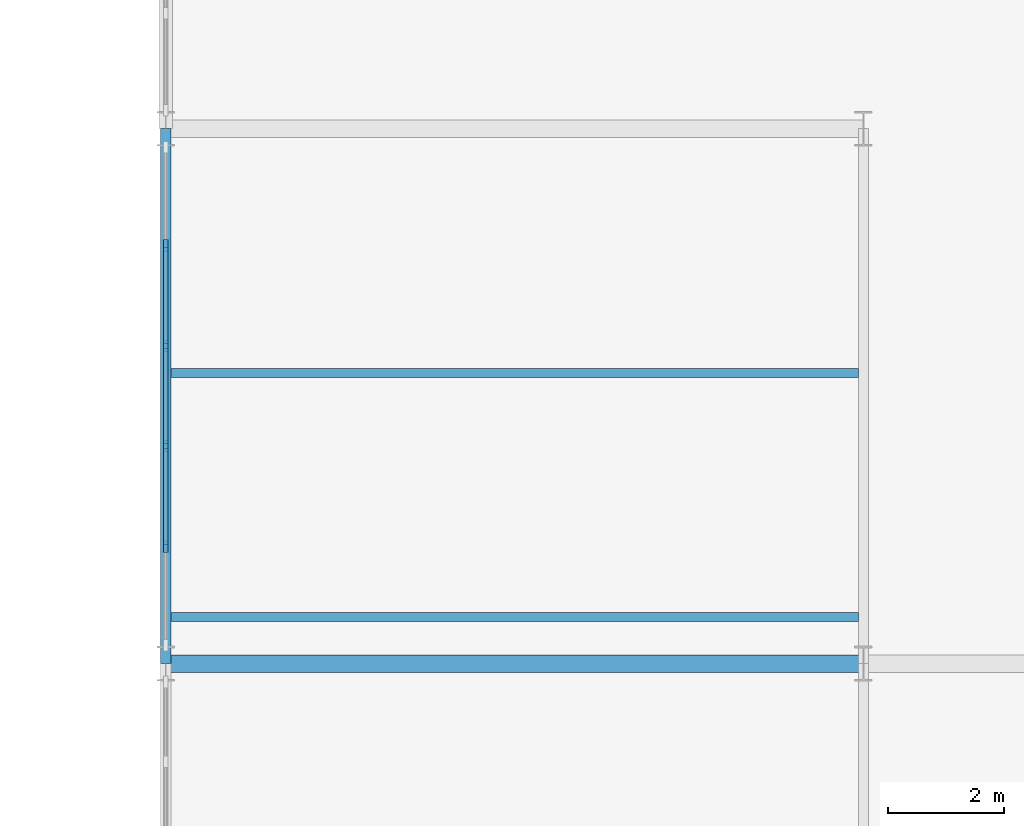
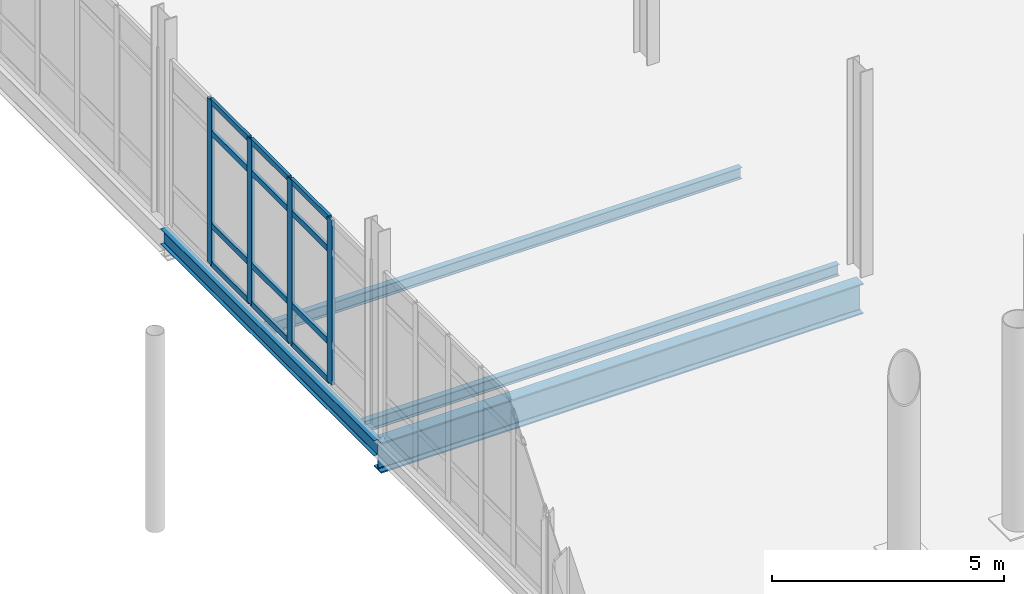
# One storey, part 57 of 111: 16 members, 4 beams, 1 element without a shape of its own.
"""IFC4 building model written with IfcOpenShell, lengths in metres."""

from ifc_helpers import new_model, si_unit, direction, frame, origin, origin_2d, place, context, subcontext, project, spatial, rectangle, i_section, extrude, material, layer, layer_set, material_profile, profile_set, type_object, element, aggregate, save


model = new_model("IFC4")

# Units and contexts
model_context = context("Model", 3, precision=1e-05, world=origin(), true_north=direction((0.0, 1.0)))
body_context = subcontext(model_context, "Body", "Model", "MODEL_VIEW")
ifc_project = project(units=[si_unit("LENGTHUNIT", "METRE"), si_unit("AREAUNIT", "SQUARE_METRE"), si_unit("VOLUMEUNIT", "CUBIC_METRE"), si_unit("PLANEANGLEUNIT", "RADIAN"), si_unit("MASSUNIT", "GRAM", prefix="KILO"), si_unit("THERMODYNAMICTEMPERATUREUNIT", "KELVIN"), si_unit("POWERUNIT", "WATT")], contexts=[model_context])

# Site, building, storey
site_placement = place(None, origin())
site = spatial("IfcSite", under=ifc_project, at=site_placement, CompositionType="ELEMENT")
building_placement = place(site_placement, origin())
building = spatial("IfcBuilding", under=site, at=building_placement, Name="Tembeka Court Mobility Hub", CompositionType="ELEMENT")
storey_placement = place(building_placement, origin())
storey = spatial("IfcBuildingStorey", under=building, at=storey_placement, Name="L00", CompositionType="ELEMENT", Elevation=0.0)

# Beams
ifc_material_1 = material(Name="Steel S355", Category="steel")
ifc_material_profile_1 = material_profile(ifc_material_1, i_section(OverallWidth=0.177978515625, OverallDepth=0.406005859375, WebThickness=0.0078125, FlangeThickness=0.0126953125, FilletRadius=0.01025390625, at=origin_2d()), Name="UKB 406x178x60")
ifc_profile_set_1 = profile_set([ifc_material_profile_1], Name="Steel S355")
beam_type_1 = type_object("IfcBeamType", Name="BM-B02", PredefinedType="BEAM", material=ifc_profile_set_1)
beam_1_placement = place(storey_placement, frame((116.39990234375, 88.0, -0.48291015625), z_axis=(0.0, 1.0, 0.0), x_axis=(-1.0, 0.0, 0.0)))
element("IfcBeam", 1, at=beam_1_placement, inside=storey, type_object=beam_type_1, Name="Beam B02 (BM-L00-Y0281)", PredefinedType="BEAM", context=body_context, shape_type="SweptSolid", body=[
    extrude(i_section(OverallWidth=0.177978515625, OverallDepth=0.406005859375, WebThickness=0.0078125, FlangeThickness=0.0126953125, FilletRadius=0.01025390625, at=origin_2d()), origin(), (0.0, 0.0, 1.0), 9.199951171875),
])
ifc_material_profile_2 = material_profile(ifc_material_1, i_section(OverallWidth=0.300048828125, OverallDepth=0.800048828125, WebThickness=0.017578125, FlangeThickness=0.034912109375, FilletRadius=0.030029296875, at=origin_2d()), Name="HEB 800")
ifc_profile_set_2 = profile_set([ifc_material_profile_2], Name="Steel S355")
beam_type_2 = type_object("IfcBeamType", Name="BM-G04", PredefinedType="USERDEFINED", material=ifc_profile_set_2)
beam_2_placement = place(storey_placement, frame((116.39990234375, 88.0, -0.679931640625), z_axis=(1.0, 0.0, 0.0), x_axis=(0.0, 1.0, 0.0)))
element("IfcBeam", 2, at=beam_2_placement, inside=storey, type_object=beam_type_2, Name="Beam G04 (BM-L00-X0135)", ObjectType="GIRDER", PredefinedType="USERDEFINED", context=body_context, shape_type="SweptSolid", body=[
    extrude(i_section(OverallWidth=0.300048828125, OverallDepth=0.800048828125, WebThickness=0.017578125, FlangeThickness=0.034912109375, FilletRadius=0.030029296875, at=origin_2d()), origin(), (0.0, 0.0, 1.0), 12.0),
])
ifc_material_profile_3 = material_profile(ifc_material_1, i_section(OverallWidth=0.14990234375, OverallDepth=0.300048828125, WebThickness=0.007080078125, FlangeThickness=0.0107421875, FilletRadius=0.014892578125, at=origin_2d()), Name="IPE 300")
ifc_profile_set_3 = profile_set([ifc_material_profile_3], Name="Steel S355")
beam_type_3 = type_object("IfcBeamType", Name="BM-J04", PredefinedType="JOIST", material=ifc_profile_set_3)
for number, where, z_axis, x_axis, name in (
    (3, (116.48388671875, 88.800048828125, -0.429931640625), (1.0, 0.0, 0.0), (0.0, 1.0, 0.0), "Beam J04 (JST-L00-0535)"),
    (4, (116.48388671875, 93.0, -0.429931640625), (1.0, 0.0, 0.0), (0.0, 1.0, 0.0), "Beam J04 (JST-L00-0536)"),
):
    element("IfcBeam", number, at=place(storey_placement, frame(where, z_axis=z_axis, x_axis=x_axis)), inside=storey, type_object=beam_type_3, Name=name, PredefinedType="JOIST", context=body_context, shape_type="SweptSolid", body=[
        extrude(i_section(OverallWidth=0.14990234375, OverallDepth=0.300048828125, WebThickness=0.007080078125, FlangeThickness=0.0107421875, FilletRadius=0.014892578125, at=origin_2d()), origin(), (0.0, 0.0, 1.0), 11.83203125),
    ])

# Curtain wall, members
ifc_material_2 = material(Name="Anodised aluminium 6063-T6", Category="aluminium")
ifc_layer = layer(ifc_material_2, 0.199951171875)
ifc_layer_set = layer_set([ifc_layer], Name="Anodised aluminium 6063-T6")
curtain_wall_type = type_object("IfcCurtainWallType", Name="CW-SYS28", PredefinedType="USERDEFINED", material=ifc_layer_set)
curtain_wall_placement = place(storey_placement, origin())
curtain_wall = element("IfcCurtainWall", 5, at=curtain_wall_placement, inside=storey, type_object=curtain_wall_type, Name="Unitised curtain wall CW28 (CW-L00-087)", ObjectType="UNITISED GLAZING", PredefinedType="USERDEFINED")
ifc_material_profile_4 = material_profile(ifc_material_2, rectangle(XDim=0.074951171875, YDim=0.199951171875, at=origin_2d()), Name="ALU-MUL 75x200")
ifc_profile_set_4 = profile_set([ifc_material_profile_4], Name="Anodised aluminium 6063-T6")
member_type_1 = type_object("IfcMemberType", Name="CW-MUL02", PredefinedType="MULLION", material=ifc_profile_set_4)
member_1_placement = place(storey_placement, frame((116.39990234375, 90.008056640625, 0.0), z_axis=(0.0, 0.0, 1.0), x_axis=(-1.0, 0.0, 0.0)))
member_1 = element("IfcMember", 6, at=member_1_placement, type_object=member_type_1, Name="CW28 mullion 2", PredefinedType="MULLION", context=body_context, shape_type="SweptSolid", body=[
    extrude(rectangle(XDim=0.074951171875, YDim=0.199951171875, at=origin_2d()), origin(), (0.0, 0.0, 1.0), 4.3349609375),
])
member_2_placement = place(storey_placement, frame((116.39990234375, 91.736083984375, 0.0), z_axis=(0.0, 0.0, 1.0), x_axis=(-1.0, 0.0, 0.0)))
member_2 = element("IfcMember", 7, at=member_2_placement, type_object=member_type_1, Name="CW28 mullion 3", PredefinedType="MULLION", context=body_context, shape_type="SweptSolid", body=[
    extrude(rectangle(XDim=0.074951171875, YDim=0.199951171875, at=origin_2d()), origin(), (0.0, 0.0, 1.0), 4.3349609375),
])
member_3_placement = place(storey_placement, frame((116.39990234375, 93.464111328125, 0.0), z_axis=(0.0, 0.0, 1.0), x_axis=(-1.0, 0.0, 0.0)))
member_3 = element("IfcMember", 8, at=member_3_placement, type_object=member_type_1, Name="CW28 mullion 4", PredefinedType="MULLION", context=body_context, shape_type="SweptSolid", body=[
    extrude(rectangle(XDim=0.074951171875, YDim=0.199951171875, at=origin_2d()), origin(), (0.0, 0.0, 1.0), 4.3349609375),
])
member_4_placement = place(storey_placement, frame((116.39990234375, 95.19189453125, 0.0), z_axis=(0.0, 0.0, 1.0), x_axis=(-1.0, 0.0, 0.0)))
member_4 = element("IfcMember", 9, at=member_4_placement, type_object=member_type_1, Name="CW28 mullion 5", PredefinedType="MULLION", context=body_context, shape_type="SweptSolid", body=[
    extrude(rectangle(XDim=0.074951171875, YDim=0.199951171875, at=origin_2d()), origin(), (0.0, 0.0, 1.0), 4.3349609375),
])
ifc_material_profile_5 = material_profile(ifc_material_2, rectangle(XDim=0.074951171875, YDim=0.14990234375, at=origin_2d()), Name="ALU-TRN 75x150")
ifc_profile_set_5 = profile_set([ifc_material_profile_5], Name="Anodised aluminium 6063-T6")
member_type_2 = type_object("IfcMemberType", Name="CW-TRN02", PredefinedType="USERDEFINED", material=ifc_profile_set_5)
member_5_placement = place(storey_placement, frame((116.39990234375, 90.04541015625, 0.03759765625), z_axis=(0.0, 1.0, 0.0), x_axis=(-1.0, 0.0, 0.0)))
member_5 = element("IfcMember", 10, at=member_5_placement, type_object=member_type_2, Name="CW28 transom 2.1", ObjectType="TRANSOM", PredefinedType="USERDEFINED", context=body_context, shape_type="SweptSolid", body=[
    extrude(rectangle(XDim=0.074951171875, YDim=0.14990234375, at=origin_2d()), origin(), (0.0, 0.0, 1.0), 1.653076171875),
])
member_6_placement = place(storey_placement, frame((116.39990234375, 90.04541015625, 1.050048828125), z_axis=(0.0, 1.0, 0.0), x_axis=(-1.0, 0.0, 0.0)))
member_6 = element("IfcMember", 11, at=member_6_placement, type_object=member_type_2, Name="CW28 transom 2.2", ObjectType="TRANSOM", PredefinedType="USERDEFINED", context=body_context, shape_type="SweptSolid", body=[
    extrude(rectangle(XDim=0.074951171875, YDim=0.14990234375, at=origin_2d()), origin(), (0.0, 0.0, 1.0), 1.653076171875),
])
member_7_placement = place(storey_placement, frame((116.39990234375, 90.04541015625, 3.485107421875), z_axis=(0.0, 1.0, 0.0), x_axis=(-1.0, 0.0, 0.0)))
member_7 = element("IfcMember", 12, at=member_7_placement, type_object=member_type_2, Name="CW28 transom 2.3", ObjectType="TRANSOM", PredefinedType="USERDEFINED", context=body_context, shape_type="SweptSolid", body=[
    extrude(rectangle(XDim=0.074951171875, YDim=0.14990234375, at=origin_2d()), origin(), (0.0, 0.0, 1.0), 1.653076171875),
])
member_8_placement = place(storey_placement, frame((116.39990234375, 90.04541015625, 4.297607421875), z_axis=(0.0, 1.0, 0.0), x_axis=(-1.0, 0.0, 0.0)))
member_8 = element("IfcMember", 13, at=member_8_placement, type_object=member_type_2, Name="CW28 transom 2.4", ObjectType="TRANSOM", PredefinedType="USERDEFINED", context=body_context, shape_type="SweptSolid", body=[
    extrude(rectangle(XDim=0.074951171875, YDim=0.14990234375, at=origin_2d()), origin(), (0.0, 0.0, 1.0), 1.653076171875),
])
member_9_placement = place(storey_placement, frame((116.39990234375, 91.7734375, 0.03759765625), z_axis=(0.0, 1.0, 0.0), x_axis=(-1.0, 0.0, 0.0)))
member_9 = element("IfcMember", 14, at=member_9_placement, type_object=member_type_2, Name="CW28 transom 3.1", ObjectType="TRANSOM", PredefinedType="USERDEFINED", context=body_context, shape_type="SweptSolid", body=[
    extrude(rectangle(XDim=0.074951171875, YDim=0.14990234375, at=origin_2d()), origin(), (0.0, 0.0, 1.0), 1.653076171875),
])
member_10_placement = place(storey_placement, frame((116.39990234375, 91.7734375, 1.050048828125), z_axis=(0.0, 1.0, 0.0), x_axis=(-1.0, 0.0, 0.0)))
member_10 = element("IfcMember", 15, at=member_10_placement, type_object=member_type_2, Name="CW28 transom 3.2", ObjectType="TRANSOM", PredefinedType="USERDEFINED", context=body_context, shape_type="SweptSolid", body=[
    extrude(rectangle(XDim=0.074951171875, YDim=0.14990234375, at=origin_2d()), origin(), (0.0, 0.0, 1.0), 1.653076171875),
])
member_11_placement = place(storey_placement, frame((116.39990234375, 91.7734375, 3.485107421875), z_axis=(0.0, 1.0, 0.0), x_axis=(-1.0, 0.0, 0.0)))
member_11 = element("IfcMember", 16, at=member_11_placement, type_object=member_type_2, Name="CW28 transom 3.3", ObjectType="TRANSOM", PredefinedType="USERDEFINED", context=body_context, shape_type="SweptSolid", body=[
    extrude(rectangle(XDim=0.074951171875, YDim=0.14990234375, at=origin_2d()), origin(), (0.0, 0.0, 1.0), 1.653076171875),
])
member_12_placement = place(storey_placement, frame((116.39990234375, 91.7734375, 4.297607421875), z_axis=(0.0, 1.0, 0.0), x_axis=(-1.0, 0.0, 0.0)))
member_12 = element("IfcMember", 17, at=member_12_placement, type_object=member_type_2, Name="CW28 transom 3.4", ObjectType="TRANSOM", PredefinedType="USERDEFINED", context=body_context, shape_type="SweptSolid", body=[
    extrude(rectangle(XDim=0.074951171875, YDim=0.14990234375, at=origin_2d()), origin(), (0.0, 0.0, 1.0), 1.653076171875),
])
member_13_placement = place(storey_placement, frame((116.39990234375, 93.50146484375, 0.03759765625), z_axis=(0.0, 1.0, 0.0), x_axis=(-1.0, 0.0, 0.0)))
member_13 = element("IfcMember", 18, at=member_13_placement, type_object=member_type_2, Name="CW28 transom 4.1", ObjectType="TRANSOM", PredefinedType="USERDEFINED", context=body_context, shape_type="SweptSolid", body=[
    extrude(rectangle(XDim=0.074951171875, YDim=0.14990234375, at=origin_2d()), origin(), (0.0, 0.0, 1.0), 1.653076171875),
])
member_14_placement = place(storey_placement, frame((116.39990234375, 93.50146484375, 1.050048828125), z_axis=(0.0, 1.0, 0.0), x_axis=(-1.0, 0.0, 0.0)))
member_14 = element("IfcMember", 19, at=member_14_placement, type_object=member_type_2, Name="CW28 transom 4.2", ObjectType="TRANSOM", PredefinedType="USERDEFINED", context=body_context, shape_type="SweptSolid", body=[
    extrude(rectangle(XDim=0.074951171875, YDim=0.14990234375, at=origin_2d()), origin(), (0.0, 0.0, 1.0), 1.653076171875),
])
member_15_placement = place(storey_placement, frame((116.39990234375, 93.50146484375, 3.485107421875), z_axis=(0.0, 1.0, 0.0), x_axis=(-1.0, 0.0, 0.0)))
member_15 = element("IfcMember", 20, at=member_15_placement, type_object=member_type_2, Name="CW28 transom 4.3", ObjectType="TRANSOM", PredefinedType="USERDEFINED", context=body_context, shape_type="SweptSolid", body=[
    extrude(rectangle(XDim=0.074951171875, YDim=0.14990234375, at=origin_2d()), origin(), (0.0, 0.0, 1.0), 1.653076171875),
])
member_16_placement = place(storey_placement, frame((116.39990234375, 93.50146484375, 4.297607421875), z_axis=(0.0, 1.0, 0.0), x_axis=(-1.0, 0.0, 0.0)))
member_16 = element("IfcMember", 21, at=member_16_placement, type_object=member_type_2, Name="CW28 transom 4.4", ObjectType="TRANSOM", PredefinedType="USERDEFINED", context=body_context, shape_type="SweptSolid", body=[
    extrude(rectangle(XDim=0.074951171875, YDim=0.14990234375, at=origin_2d()), origin(), (0.0, 0.0, 1.0), 1.653076171875),
])
aggregate(curtain_wall, [member_1, member_2, member_3, member_4, member_5, member_6, member_7, member_8, member_9, member_10, member_11, member_12, member_13, member_14, member_15, member_16])

save(model, "model.ifc")
